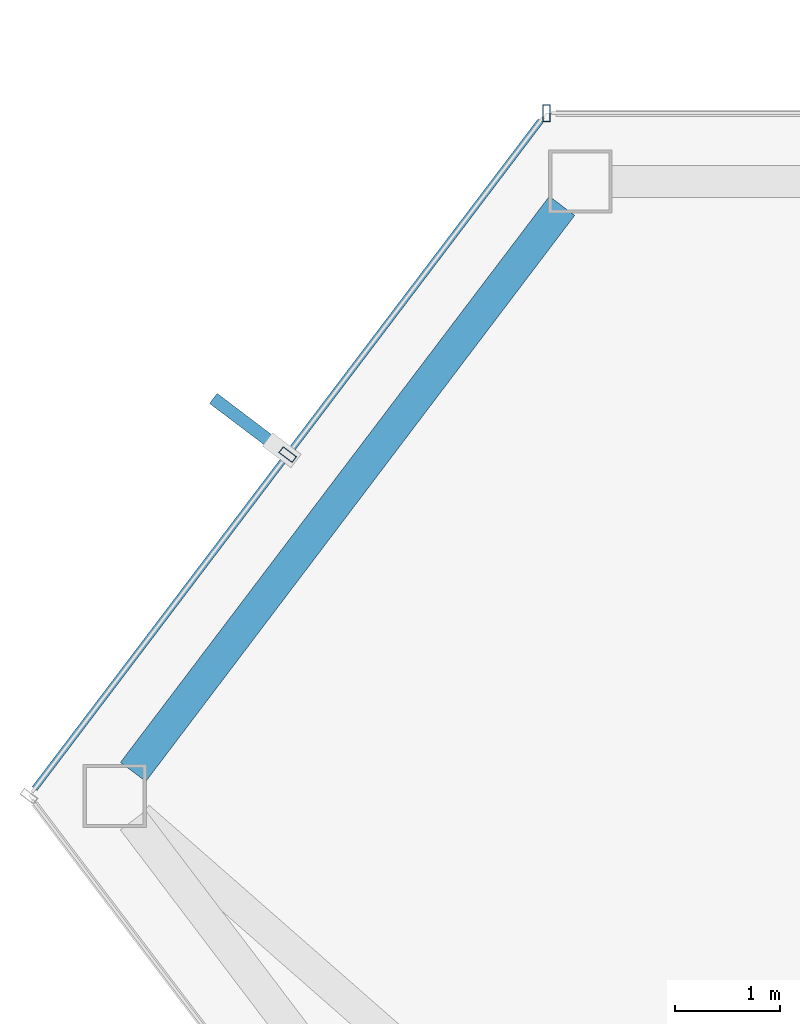
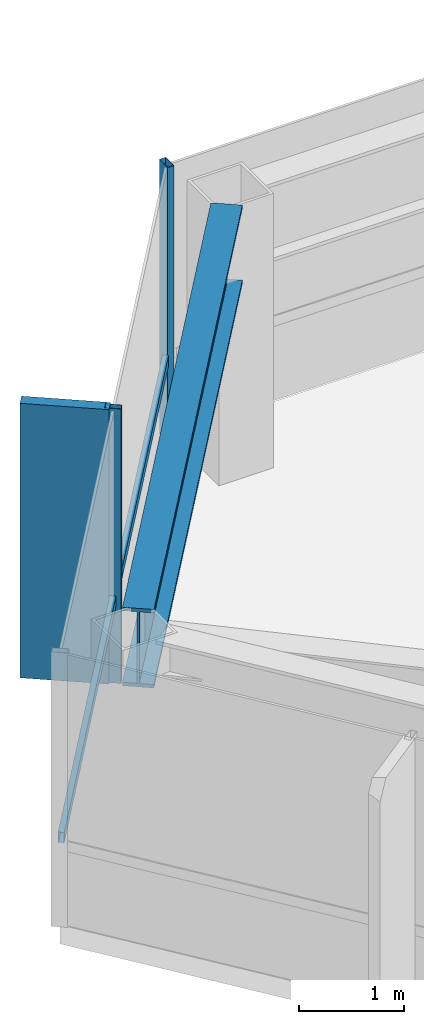
# One storey, part 10 of 25: 4 members, 1 beam, 2 elements without a shape of their own.
"""IFC4 building model written with IfcOpenShell, lengths in metres."""

import ifcopenshell
import ifcopenshell.guid

model = None  # the IFC model being written
_history = None  # IfcOwnerHistory: only IFC2X3 demands one
_inside = {}  # id of a spatial element -> (the spatial element, [elements in it])
_under = {}  # id of a project, library or spatial element -> (it, [spatial elements below it])
_declared = {}  # id of a project -> (the project, [libraries it declares])
_typed = {}  # id of a type object -> (the type object, [elements of that type])
_made_of = {}  # id of a material, layer set ... -> (it, [elements and type objects made of it])


def new_model(schema):
    """Start an empty IFC model of exactly this schema.

    Asked for "IFC4X3", IfcOpenShell would pick the latest addendum, in which some entities
    have other attributes; the version numbers below select the first issue.
    IFC2X3 requires an IfcOwnerHistory on every rooted entity: one is made here for all.
    """
    global model, _history
    if schema == "IFC4X3":
        model = ifcopenshell.file(schema_version=(4, 3, 0, 0))
    else:
        model = ifcopenshell.file(schema=schema)
    _inside.clear()
    _under.clear()
    _declared.clear()
    _typed.clear()
    _made_of.clear()
    _history = None
    if model.schema == "IFC2X3":
        org = make("IfcOrganization", Name="unknown")
        user = make(
            "IfcPersonAndOrganization",
            ThePerson=make("IfcPerson", FamilyName="unknown"),
            TheOrganization=org,
        )
        app = make(
            "IfcApplication",
            ApplicationDeveloper=org,
            Version="unknown",
            ApplicationFullName="unknown",
            ApplicationIdentifier="unknown",
        )
        _history = make(
            "IfcOwnerHistory",
            OwningUser=user,
            OwningApplication=app,
            ChangeAction="ADDED",
            CreationDate=0,
        )
    return model


def make(cls, **values):
    """One entity of the class cls with the attributes given. An attribute that is None is left unset."""
    return model.create_entity(
        cls, **{name: value for name, value in values.items() if value is not None}
    )


def rooted(cls, **values):
    """An entity with a GlobalId (a new one), such as an element, a storey or a relation."""
    return make(cls, GlobalId=ifcopenshell.guid.new(), OwnerHistory=_history, **values)


def si_unit(unit_type, name, prefix=None):
    """IfcSIUnit, for example si_unit("LENGTHUNIT", "METRE", prefix="MILLI")."""
    return make("IfcSIUnit", UnitType=unit_type, Prefix=prefix, Name=name)


def assignment(units):
    """IfcUnitAssignment: the units of a project."""
    return None if units is None else make("IfcUnitAssignment", Units=units)


def point(xyz):
    """IfcCartesianPoint."""
    return None if xyz is None else make("IfcCartesianPoint", Coordinates=xyz)


def direction(xyz):
    """IfcDirection."""
    return None if xyz is None else make("IfcDirection", DirectionRatios=xyz)


def frame(location, z_axis=None, x_axis=None):
    """IfcAxis2Placement3D, a coordinate frame: its origin and axes. An axis left out is left unset."""
    return make(
        "IfcAxis2Placement3D",
        Location=point(location),
        Axis=direction(z_axis),
        RefDirection=direction(x_axis),
    )


def frame_2d(location, x_axis=None):
    """IfcAxis2Placement2D, a coordinate frame in the plane: its origin and x axis."""
    return make(
        "IfcAxis2Placement2D", Location=point(location), RefDirection=direction(x_axis)
    )


def origin():
    """The frame at (0, 0, 0) with its axes left unset."""
    return frame((0.0, 0.0, 0.0))


def origin_2d():
    """The frame at (0, 0) in the plane with its x axis left unset."""
    return frame_2d((0.0, 0.0))


def place(relative_to, where):
    """IfcLocalPlacement: puts the frame where relative to a parent placement (None: the world)."""
    return make(
        "IfcLocalPlacement", PlacementRelTo=relative_to, RelativePlacement=where
    )


def context(
    kind, dimensions, precision=None, world=None, true_north=None, identifier=None
):
    """IfcGeometricRepresentationContext, for example the 3D "Model" context."""
    return make(
        "IfcGeometricRepresentationContext",
        ContextIdentifier=identifier,
        ContextType=kind,
        CoordinateSpaceDimension=dimensions,
        Precision=precision,
        WorldCoordinateSystem=world,
        TrueNorth=true_north,
    )


def subcontext(parent, identifier, kind, view, scale=None):
    """IfcGeometricRepresentationSubContext, for example "Body" below "Model"."""
    return make(
        "IfcGeometricRepresentationSubContext",
        ContextIdentifier=identifier,
        ContextType=kind,
        ParentContext=parent,
        TargetScale=scale,
        TargetView=view,
    )


def project(units=None, contexts=None):
    """IfcProject with its units and contexts."""
    return rooted(
        "IfcProject",
        Name="project",
        RepresentationContexts=contexts,
        UnitsInContext=assignment(units),
    )


def spatial(cls, under=None, at=None, **own):
    """A site, building, storey or space (cls), placed at a placement, below another one or the project."""
    s = rooted(cls, ObjectPlacement=at, **own)
    if under is not None:
        _under.setdefault(under.id(), (under, []))[1].append(s)
    return s


def profile(cls, at=None, kind="AREA", **sizes):
    """A parametric profile (cls). Its sizes go by their IFC names, for example OverallWidth=200.0."""
    return make(cls, ProfileType=kind, Position=at, **sizes)


def rectangle(**sizes):
    """IfcRectangleProfileDef."""
    return profile("IfcRectangleProfileDef", **sizes)


def hollow_rectangle(**sizes):
    """IfcRectangleHollowProfileDef."""
    return profile("IfcRectangleHollowProfileDef", **sizes)


def i_section(**sizes):
    """IfcIShapeProfileDef."""
    return profile("IfcIShapeProfileDef", **sizes)


def extrude(swept, where, along, depth):
    """IfcExtrudedAreaSolid: the profile swept, set in the frame where, extruded along a direction by depth."""
    return make(
        "IfcExtrudedAreaSolid",
        SweptArea=swept,
        Position=where,
        ExtrudedDirection=direction(along),
        Depth=depth,
    )


def shape(context_of_items, identifier, shape_type, items):
    """IfcShapeRepresentation: the items that make up one representation, for example the "Body"."""
    return make(
        "IfcShapeRepresentation",
        ContextOfItems=context_of_items,
        RepresentationIdentifier=identifier,
        RepresentationType=shape_type,
        Items=items,
    )


def material(Name=None, Category=None):
    """IfcMaterial."""
    return make("IfcMaterial", Name=Name, Category=Category)


def layer(
    of_material, thickness, ventilated=None, Name=None, Category=None, Priority=None
):
    """IfcMaterialLayer: one layer of a wall or slab, of a material (None: an air gap)."""
    return make(
        "IfcMaterialLayer",
        Material=of_material,
        LayerThickness=thickness,
        IsVentilated=ventilated,
        Name=Name,
        Category=Category,
        Priority=Priority,
    )


def layer_set(layers, Name=None):
    """IfcMaterialLayerSet."""
    return make("IfcMaterialLayerSet", MaterialLayers=layers, LayerSetName=Name)


def material_profile(
    of_material, cross_section, Name=None, Category=None, Priority=None
):
    """IfcMaterialProfile: a cross section and its material."""
    return make(
        "IfcMaterialProfile",
        Name=Name,
        Material=of_material,
        Profile=cross_section,
        Priority=Priority,
        Category=Category,
    )


def profile_set(profiles, Name=None, composite=None):
    """IfcMaterialProfileSet."""
    return make(
        "IfcMaterialProfileSet",
        Name=Name,
        MaterialProfiles=profiles,
        CompositeProfile=composite,
    )


def made_of(thing, what):
    """Note that an element or type object is made of a material, layer set ...; save() writes the relation."""
    if what is not None:
        _made_of.setdefault(what.id(), (what, []))[1].append(thing)
    return thing


def type_object(cls, material=None, **own):
    """A type object (cls), such as IfcWallType, which elements share."""
    return made_of(rooted(cls, **own), material)


def element(
    cls,
    number,
    at=None,
    inside=None,
    cuts=None,
    type_object=None,
    material=None,
    context=None,
    identifier="Body",
    shape_type=None,
    held_by="IfcProductDefinitionShape",
    body=None,
    shapes=None,
    **own,
):
    """One element of the class cls, such as IfcWall. Its Tag is "e" and its number.

    at: its placement. inside: the storey or other place that contains it. cuts: it is an
    opening in that element (IfcRelVoidsElement). A single representation is given by context,
    identifier, shape_type and body (its items); several are given by shapes. held_by: the class
    of the entity that holds the representations. save() writes the other relations.
    """
    e = rooted(cls, Tag="e%d" % number, ObjectPlacement=at, **own)
    if body is not None:
        shapes = [shape(context, identifier, shape_type, body)]
    if shapes is not None:
        e.Representation = make(held_by, Representations=shapes)
    if inside is not None:
        _inside.setdefault(inside.id(), (inside, []))[1].append(e)
    if cuts is not None:
        rooted(
            "IfcRelVoidsElement", RelatingBuildingElement=cuts, RelatedOpeningElement=e
        )
    if type_object is not None:
        _typed.setdefault(type_object.id(), (type_object, []))[1].append(e)
    return made_of(e, material)


def aggregate(whole, parts):
    """IfcRelAggregates: a whole, such as a stair, and the parts it consists of."""
    return rooted("IfcRelAggregates", RelatingObject=whole, RelatedObjects=parts)


def save(model, path):
    """Write the relations noted so far, then the file.

    IfcRelAggregates (storeys below a building ...), IfcRelContainedInSpatialStructure (elements
    in a storey), IfcRelDefinesByType, IfcRelAssociatesMaterial and IfcRelDeclares: one each for
    every whole, place, type object, material and project.
    """
    for whole, parts in _under.values():
        aggregate(whole, parts)
    for where, things in _inside.values():
        rooted(
            "IfcRelContainedInSpatialStructure",
            RelatedElements=things,
            RelatingStructure=where,
        )
    for kind, things in _typed.values():
        rooted("IfcRelDefinesByType", RelatedObjects=things, RelatingType=kind)
    for what, things in _made_of.values():
        rooted("IfcRelAssociatesMaterial", RelatedObjects=things, RelatingMaterial=what)
    for by, libraries in _declared.values():
        rooted("IfcRelDeclares", RelatingContext=by, RelatedDefinitions=libraries)
    model.write(path)


model = new_model("IFC4")

# Units and contexts
model_context = context("Model", 3, precision=1e-05, world=origin(), true_north=direction((0.0, 1.0)))
body_context = subcontext(model_context, "Body", "Model", "MODEL_VIEW")
ifc_project = project(units=[si_unit("LENGTHUNIT", "METRE"), si_unit("AREAUNIT", "SQUARE_METRE"), si_unit("VOLUMEUNIT", "CUBIC_METRE"), si_unit("PLANEANGLEUNIT", "RADIAN"), si_unit("MASSUNIT", "GRAM", prefix="KILO")], contexts=[model_context])

# Site, building, storey
site_placement = place(None, origin())
site = spatial("IfcSite", under=ifc_project, at=site_placement, CompositionType="ELEMENT")
building_placement = place(site_placement, origin())
building = spatial("IfcBuilding", under=site, at=building_placement, Name="Zarrinselat Tower", CompositionType="ELEMENT")
storey_placement = place(building_placement, frame((0.0, 0.0, 242.760009765625)))
storey = spatial("IfcBuildingStorey", under=building, at=storey_placement, Name="L61", CompositionType="ELEMENT", Elevation=242.760009765625)

# Beam
ifc_material_1 = material(Name="Steel S460M", Category="steel")
ifc_material_profile_1 = material_profile(ifc_material_1, i_section(OverallWidth=0.302001953125, OverallDepth=0.909912109375, WebThickness=0.02099609375, FlangeThickness=0.0400390625, at=origin_2d()), Name="HEM 900")
ifc_profile_set_1 = profile_set([ifc_material_profile_1], Name="Steel S460M")
beam_type = type_object("IfcBeamType", Name="BM-HEM900", PredefinedType="BEAM", material=ifc_profile_set_1)
beam_placement = place(storey_placement, frame((16.4970703125, 41.805419921875, 2.72509765625), z_axis=(0.603884867536, 0.797071556863, 0.0), x_axis=(-0.797071556863, 0.603884867536, 0.0)))
element("IfcBeam", 1, at=beam_placement, inside=storey, type_object=beam_type, Name="L61 Perimeter Spandrel Girder SP05", PredefinedType="BEAM", context=body_context, shape_type="SweptSolid", body=[
    extrude(i_section(OverallWidth=0.302001953125, OverallDepth=0.909912109375, WebThickness=0.02099609375, FlangeThickness=0.0400390625, at=origin_2d()), origin(), (0.0, 0.0, 1.0), 6.74462890625),
])

# Curtain wall, member
ifc_material_2 = material(Name="Extruded Aluminium Alloy EN AW-6063 T6", Category="aluminium")
ifc_layer = layer(ifc_material_2, 0.169921875)
ifc_layer_set = layer_set([ifc_layer], Name="Extruded Aluminium Alloy EN AW-6063 T6")
curtain_wall_type = type_object("IfcCurtainWallType", Name="CWS-RES", PredefinedType="NOTDEFINED", material=ifc_layer_set)
curtain_wall_1_placement = place(storey_placement, origin())
curtain_wall_1 = element("IfcCurtainWall", 2, at=curtain_wall_1_placement, inside=storey, type_object=curtain_wall_type, Name="L61 Unitised Curtain Wall CW-L61-E01", PredefinedType="NOTDEFINED")
ifc_material_3 = material(Name="Extruded Aluminium Alloy EN AW-6063 T6", Category="aluminium")
ifc_material_profile_2 = material_profile(ifc_material_3, hollow_rectangle(XDim=0.070068359375, YDim=0.159912109375, WallThickness=0.00390625, at=origin_2d()), Name="RHS 160x70x4")
ifc_profile_set_2 = profile_set([ifc_material_profile_2], Name="Extruded Aluminium Alloy EN AW-6063 T6")
member_type_1 = type_object("IfcMemberType", Name="MEM-CW-MUL2", PredefinedType="MULLION", material=ifc_profile_set_2)
member_1_placement = place(storey_placement, frame((20.4208984375, 48.06103515625, 0.0), z_axis=(0.0, 0.0, 1.0), x_axis=(-1.0, 0.0, 0.0)))
member_1 = element("IfcMember", 3, at=member_1_placement, type_object=member_type_1, Name="CW-L61-E01 Mullion 13", PredefinedType="MULLION", context=body_context, shape_type="SweptSolid", body=[
    extrude(hollow_rectangle(XDim=0.070068359375, YDim=0.159912109375, WallThickness=0.00390625, at=origin_2d()), origin(), (0.0, 0.0, 1.0), 3.179931640625),
])
aggregate(curtain_wall_1, [member_1])

# Curtain wall, members
curtain_wall_2_placement = place(storey_placement, origin())
curtain_wall_2 = element("IfcCurtainWall", 4, at=curtain_wall_2_placement, inside=storey, type_object=curtain_wall_type, Name="L61 Unitised Curtain Wall CW-L61-E02", PredefinedType="NOTDEFINED")
member_2_placement = place(storey_placement, frame((17.96435546875, 44.818359375, 0.0), z_axis=(0.0, 0.0, 1.0), x_axis=(-0.603859107785, -0.797091072554, 0.0)))
member_2 = element("IfcMember", 5, at=member_2_placement, type_object=member_type_1, Name="CW-L61-E02 Mullion 1", PredefinedType="MULLION", context=body_context, shape_type="SweptSolid", body=[
    extrude(hollow_rectangle(XDim=0.070068359375, YDim=0.159912109375, WallThickness=0.00390625, at=origin_2d()), origin(), (0.0, 0.0, 1.0), 3.179931640625),
])
ifc_material_4 = material(Name="Extruded Aluminium Alloy EN AW-6063 T6", Category="aluminium")
ifc_material_profile_3 = material_profile(ifc_material_4, hollow_rectangle(XDim=0.06005859375, YDim=0.1201171875, WallThickness=0.00390625, at=origin_2d()), Name="RHS 120x60x4")
ifc_profile_set_3 = profile_set([ifc_material_profile_3], Name="Extruded Aluminium Alloy EN AW-6063 T6")
member_type_2 = type_object("IfcMemberType", Name="MEM-CW-TRN2", PredefinedType="USERDEFINED", material=ifc_profile_set_3)
member_3_placement = place(storey_placement, frame((20.36669921875, 47.989501953125, 0.949951171875), z_axis=(-0.60386654952, -0.797085434801, 0.0), x_axis=(0.797085434801, -0.60386654952, 0.0)))
member_3 = element("IfcMember", 6, at=member_3_placement, type_object=member_type_2, Name="CW-L61-E02 Transom 1", ObjectType="TRANSOM", PredefinedType="USERDEFINED", context=body_context, shape_type="SweptSolid", body=[
    extrude(hollow_rectangle(XDim=0.06005859375, YDim=0.1201171875, WallThickness=0.00390625, at=origin_2d()), origin(), (0.0, 0.0, 1.0), 7.95654296875),
])
ifc_material_5 = material(Name="Honed Cream Travertine Stone", Category="masonry")
ifc_material_profile_4 = material_profile(ifc_material_5, rectangle(XDim=0.1201171875, YDim=0.85009765625, at=origin_2d()), Name="FIN 850x120")
ifc_profile_set_4 = profile_set([ifc_material_profile_4], Name="Honed Cream Travertine Stone")
member_type_3 = type_object("IfcMemberType", Name="MEM-STONE-FIN", PredefinedType="USERDEFINED", material=ifc_profile_set_4)
member_4_placement = place(storey_placement, frame((17.59765625, 45.09619140625, 0.0), z_axis=(0.0, 0.0, 1.0), x_axis=(0.603859107785, 0.797091072554, 0.0)))
member_4 = element("IfcMember", 7, at=member_4_placement, type_object=member_type_3, Name="L61 Stone Shading Fin CW-L61-E02-01", ObjectType="FIN", PredefinedType="USERDEFINED", context=body_context, shape_type="SweptSolid", body=[
    extrude(rectangle(XDim=0.1201171875, YDim=0.85009765625, at=origin_2d()), origin(), (0.0, 0.0, 1.0), 3.179931640625),
])
aggregate(curtain_wall_2, [member_2, member_4, member_3])

save(model, "model.ifc")
